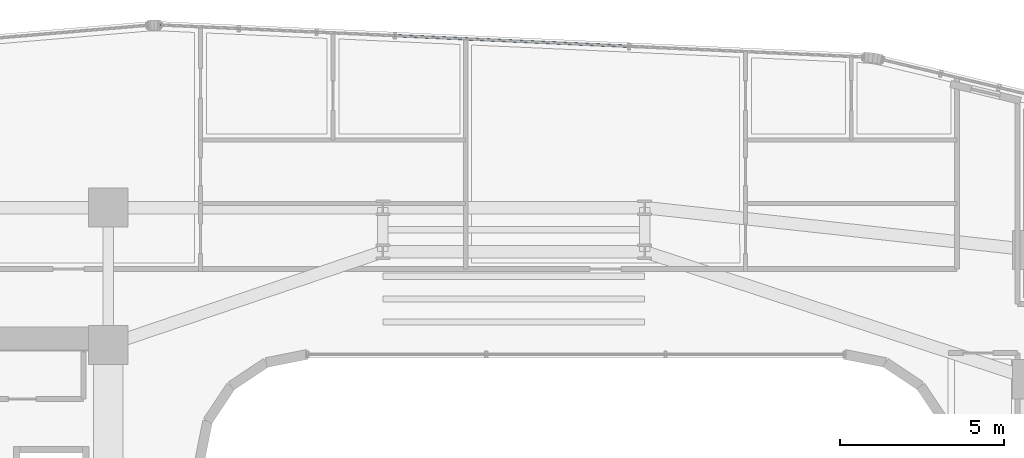
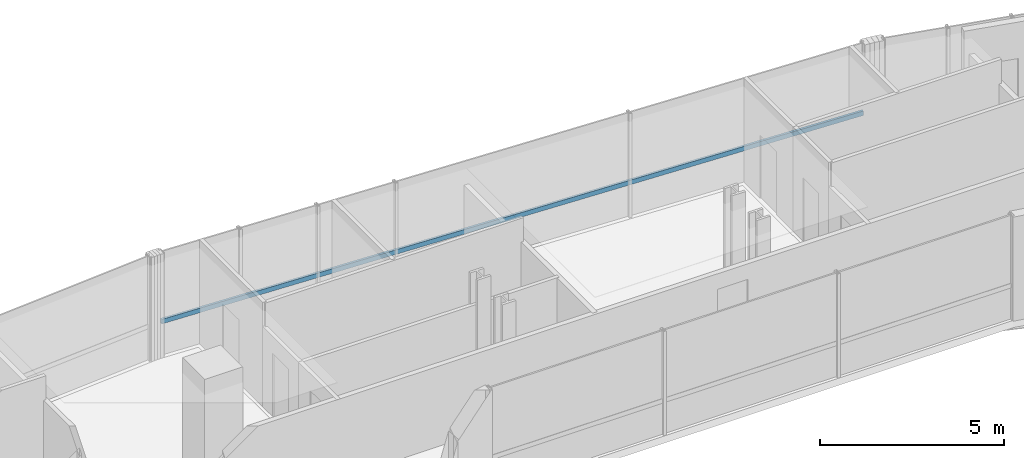
# One storey, part 21 of 35: 1 member, 1 element without a shape of its own.
"""IFC4 building model written with IfcOpenShell, lengths in metres."""

from ifc_helpers import new_model, si_unit, direction, frame, origin, origin_2d, place, context, subcontext, project, spatial, hollow_rectangle, extrude, source, transform, mapped, material, material_profile, profile_set, type_object, element, aggregate, save


model = new_model("IFC4")

# Units and contexts
model_context = context("Model", 3, precision=1e-05, world=origin(), true_north=direction((0.0, 1.0)))
body_context = subcontext(model_context, "Body", "Model", "MODEL_VIEW")
ifc_project = project(units=[si_unit("LENGTHUNIT", "METRE"), si_unit("AREAUNIT", "SQUARE_METRE"), si_unit("VOLUMEUNIT", "CUBIC_METRE"), si_unit("PLANEANGLEUNIT", "RADIAN"), si_unit("MASSUNIT", "GRAM", prefix="KILO")], contexts=[model_context])

# Site, building, storey
site_placement = place(None, origin())
site = spatial("IfcSite", under=ifc_project, at=site_placement, CompositionType="ELEMENT")
building_placement = place(site_placement, origin())
building = spatial("IfcBuilding", under=site, at=building_placement, Name="Valdorenza Pilgrim Sanctuary Tower", CompositionType="ELEMENT")
storey_placement = place(building_placement, frame((0.0, 0.0, 105.699951171875)))
storey = spatial("IfcBuildingStorey", under=building, at=storey_placement, Name="L26", CompositionType="ELEMENT", Elevation=105.699951171875)

# Curtain wall, member
ifc_material_1 = material(Name="Curtain-wall IGU glazing", Category="glass")
curtain_wall_type = type_object("IfcCurtainWallType", Name="CW-SYS-02", PredefinedType="NOTDEFINED", material=ifc_material_1)
curtain_wall_placement = place(storey_placement, origin())
curtain_wall = element("IfcCurtainWall", 1, at=curtain_wall_placement, inside=storey, type_object=curtain_wall_type, Name="L26 Curtain Wall CW-L26-1-11", PredefinedType="NOTDEFINED")
ifc_material_2 = material(Name="Anodised aluminium AW-6060", Category="aluminium")
ifc_material_profile = material_profile(ifc_material_2, hollow_rectangle(XDim=0.074951171875, YDim=0.14990234375, WallThickness=0.00390625, at=origin_2d()), Name="ALU-T 150x75x4")
ifc_profile_set = profile_set([ifc_material_profile], Name="Anodised aluminium AW-6060")
member_type = type_object("IfcMemberType", Name="CW-TRN-02", PredefinedType="USERDEFINED", material=ifc_profile_set)
shared_shape = source(origin(), body_context, "Body", "SweptSolid", [
    extrude(hollow_rectangle(XDim=0.074951171875, YDim=0.14990234375, WallThickness=0.00390625, at=origin_2d()), origin(), (0.0, 0.0, 1.0), 21.5078125),
])
member_placement = place(storey_placement, frame((-10.795654296875, 20.380615234375, 1.1201171875), z_axis=(0.99896865723, -0.045405086403, 0.0), x_axis=(0.045405086403, 0.99896865723, 0.0)))
member = element("IfcMember", 2, at=member_placement, type_object=member_type, Name="CW-L26-1-11 Transom 1", ObjectType="TRANSOM", PredefinedType="USERDEFINED", context=body_context, shape_type="MappedRepresentation", body=[
    mapped(shared_shape, transform((0.0, 0.0, 0.0), x_axis=(1.0, 0.0, 0.0), y_axis=(0.0, 1.0, 0.0), z_axis=(0.0, 0.0, 1.0), scale=1.0)),
])
aggregate(curtain_wall, [member])

save(model, "model.ifc")
